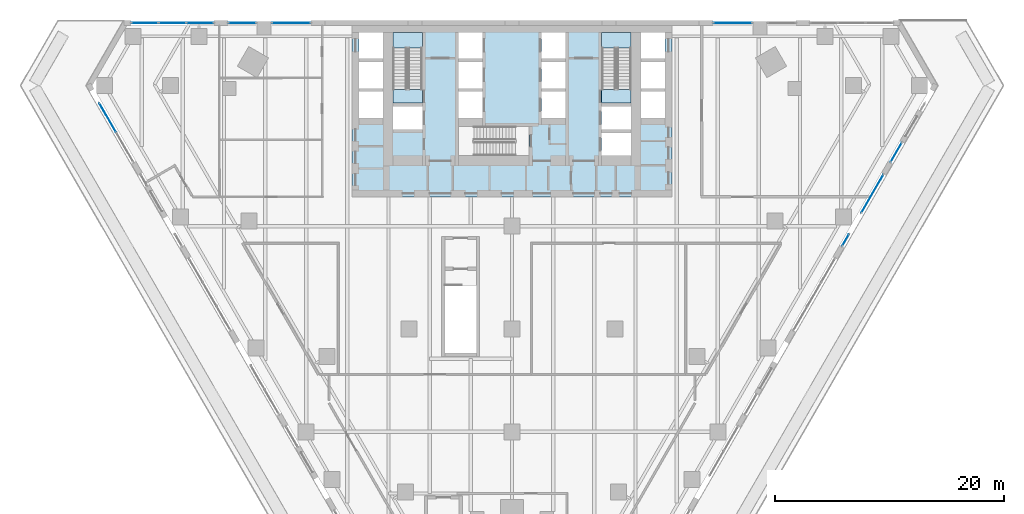
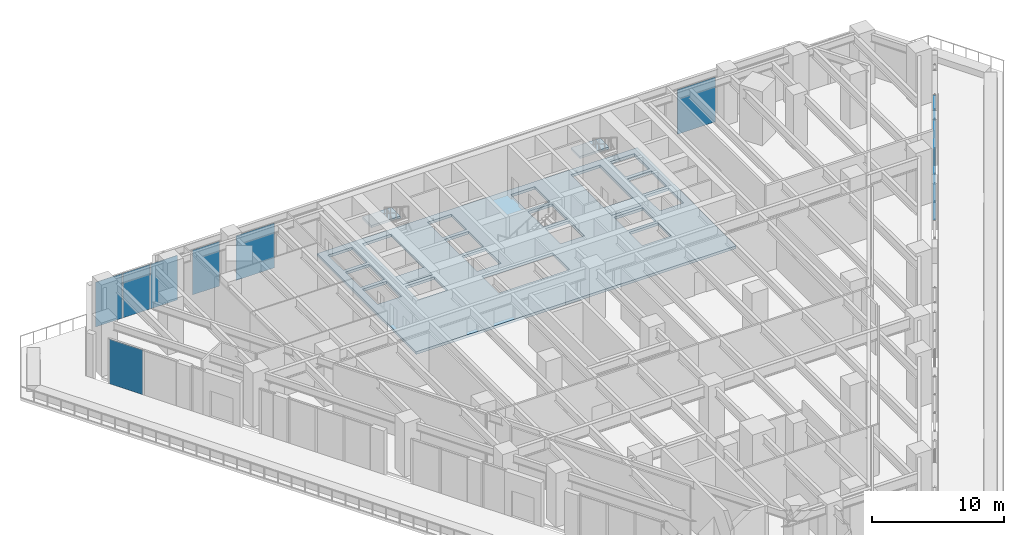
# One storey, part 19 of 31: 10 plates, 5 slabs, 10 elements without a shape of their own.
"""IFC4 building model written with IfcOpenShell, lengths in metres."""

from ifc_helpers import new_model, si_unit, direction, frame, origin, origin_2d, place, context, subcontext, project, spatial, polyline, rectangle, outline, extrude, material, layer, layer_set, type_object, element, aggregate, save


model = new_model("IFC4")

# Units and contexts
model_context = context("Model", 3, precision=1e-05, world=origin(), true_north=direction((0.0, 1.0)))
body_context = subcontext(model_context, "Body", "Model", "MODEL_VIEW")
ifc_project = project(units=[si_unit("LENGTHUNIT", "METRE"), si_unit("AREAUNIT", "SQUARE_METRE"), si_unit("VOLUMEUNIT", "CUBIC_METRE"), si_unit("PLANEANGLEUNIT", "RADIAN"), si_unit("MASSUNIT", "GRAM", prefix="KILO")], contexts=[model_context])

# Site, building, storey
site_placement = place(None, origin())
site = spatial("IfcSite", under=ifc_project, at=site_placement, CompositionType="ELEMENT")
building_placement = place(site_placement, origin())
building = spatial("IfcBuilding", under=site, at=building_placement, Name="Aloe Facet Convention Tower", CompositionType="ELEMENT")
storey_placement = place(building_placement, frame((0.0, 0.0, 25.0)))
storey = spatial("IfcBuildingStorey", under=building, at=storey_placement, Name="L04", CompositionType="ELEMENT", Elevation=25.0)

# Slabs
ifc_material_1 = material(Name="Concrete C80/95", Category="concrete")
ifc_layer_1 = layer(ifc_material_1, 0.25)
ifc_layer_set_1 = layer_set([ifc_layer_1], Name="CR-S-FLOOR250-C8095")
slab_type_1 = type_object("IfcSlabType", Name="CR-S-FLOOR250-C8095", PredefinedType="FLOOR", material=ifc_layer_set_1)
slab_1_placement = place(storey_placement, frame((0.0, 0.0, -0.25)))
element("IfcSlab", 1, at=slab_1_placement, inside=storey, type_object=slab_type_1, Name="Core floor L04", PredefinedType="FLOOR", context=body_context, shape_type="SweptSolid", body=[
    extrude(outline(polyline([(69.300048828125, 134.550048828125), (71.85009765625, 134.550048828125), (72.75, 134.550048828125), (74.699951171875, 134.550048828125), (75.60009765625, 134.550048828125), (77.10009765625, 134.550048828125), (78.0, 134.550048828125), (82.0, 134.550048828125), (82.89990234375, 134.550048828125), (84.39990234375, 134.550048828125), (85.300048828125, 134.550048828125), (87.25, 134.550048828125), (88.14990234375, 134.550048828125), (90.699951171875, 134.550048828125), (91.0, 134.550048828125), (94.0, 134.550048828125), (94.0, 131.949951171875), (94.0, 131.050048828125), (94.0, 129.35009765625), (94.0, 128.449951171875), (94.0, 126.449951171875), (94.0, 125.85009765625), (94.0, 124.9736328125), (94.0, 123.923583984375), (94.0, 122.834228515625), (94.0, 121.7841796875), (94.0, 119.550048828125), (91.300048828125, 119.550048828125), (90.699951171875, 119.550048828125), (89.60009765625, 119.550048828125), (88.550048828125, 119.550048828125), (87.89990234375, 119.550048828125), (86.85009765625, 119.550048828125), (85.699951171875, 119.550048828125), (84.64990234375, 119.550048828125), (83.699951171875, 119.550048828125), (82.64990234375, 119.550048828125), (81.75, 119.550048828125), (80.699951171875, 119.550048828125), (78.550048828125, 119.550048828125), (77.5, 119.550048828125), (75.35009765625, 119.550048828125), (74.300048828125, 119.550048828125), (73.14990234375, 119.550048828125), (72.10009765625, 119.550048828125), (69.300048828125, 119.550048828125), (66.0, 119.550048828125), (66.0, 121.5), (66.0, 122.550048828125), (66.0, 123.449951171875), (66.0, 124.5), (66.0, 125.85009765625), (66.0, 126.449951171875), (66.0, 128.449951171875), (66.0, 129.35009765625), (66.0, 131.050048828125), (66.0, 131.949951171875), (66.0, 134.550048828125), (69.0, 134.550048828125), (69.300048828125, 134.550048828125)]), holes=[polyline([(75.300048828125, 123.14990234375), (80.298828125, 123.14990234375), (81.5, 123.14990234375), (81.5, 125.699951171875), (80.298828125, 125.699951171875), (75.300048828125, 125.699951171875), (75.300048828125, 123.14990234375)]), polyline([(69.60009765625, 125.449951171875), (72.14990234375, 125.449951171875), (72.14990234375, 127.449951171875), (69.60009765625, 127.449951171875), (69.60009765625, 125.449951171875)]), polyline([(66.60009765625, 126.449951171875), (68.699951171875, 126.449951171875), (68.699951171875, 128.75), (66.60009765625, 128.75), (66.60009765625, 126.449951171875)]), polyline([(75.300048828125, 126.449951171875), (77.39990234375, 126.449951171875), (77.39990234375, 128.75), (75.300048828125, 128.75), (75.300048828125, 126.449951171875)]), polyline([(66.60009765625, 129.050048828125), (68.699951171875, 129.050048828125), (68.699951171875, 131.35009765625), (66.60009765625, 131.35009765625), (66.60009765625, 129.050048828125)]), polyline([(75.300048828125, 129.050048828125), (77.39990234375, 129.050048828125), (77.39990234375, 131.35009765625), (75.300048828125, 131.35009765625), (75.300048828125, 129.050048828125)]), polyline([(69.60009765625, 133.949951171875), (69.60009765625, 128.951171875), (69.60009765625, 127.75), (72.14990234375, 127.75), (72.14990234375, 128.951171875), (72.14990234375, 133.949951171875), (69.60009765625, 133.949951171875)]), polyline([(66.60009765625, 133.949951171875), (66.60009765625, 131.64990234375), (68.699951171875, 131.64990234375), (68.699951171875, 133.949951171875), (66.60009765625, 133.949951171875)]), polyline([(75.300048828125, 133.949951171875), (75.300048828125, 131.64990234375), (77.39990234375, 131.64990234375), (77.39990234375, 133.949951171875), (75.300048828125, 133.949951171875)]), polyline([(87.85009765625, 123.14990234375), (90.39990234375, 123.14990234375), (90.39990234375, 125.14990234375), (87.85009765625, 125.14990234375), (87.85009765625, 123.14990234375)]), polyline([(87.85009765625, 125.449951171875), (90.39990234375, 125.449951171875), (90.39990234375, 127.449951171875), (87.85009765625, 127.449951171875), (87.85009765625, 125.449951171875)]), polyline([(82.60009765625, 126.449951171875), (84.699951171875, 126.449951171875), (84.699951171875, 128.75), (82.60009765625, 128.75), (82.60009765625, 126.449951171875)]), polyline([(91.300048828125, 126.449951171875), (93.39990234375, 126.449951171875), (93.39990234375, 128.75), (91.300048828125, 128.75), (91.300048828125, 126.449951171875)]), polyline([(82.60009765625, 129.050048828125), (84.699951171875, 129.050048828125), (84.699951171875, 131.35009765625), (82.60009765625, 131.35009765625), (82.60009765625, 129.050048828125)]), polyline([(91.300048828125, 129.050048828125), (93.39990234375, 129.050048828125), (93.39990234375, 131.35009765625), (91.300048828125, 131.35009765625), (91.300048828125, 129.050048828125)]), polyline([(87.85009765625, 133.949951171875), (87.85009765625, 128.951171875), (87.85009765625, 127.75), (90.39990234375, 127.75), (90.39990234375, 128.951171875), (90.39990234375, 133.949951171875), (87.85009765625, 133.949951171875)]), polyline([(82.60009765625, 133.949951171875), (82.60009765625, 131.64990234375), (84.699951171875, 131.64990234375), (84.699951171875, 133.949951171875), (82.60009765625, 133.949951171875)]), polyline([(91.300048828125, 133.949951171875), (91.300048828125, 131.64990234375), (93.39990234375, 131.64990234375), (93.39990234375, 133.949951171875), (91.300048828125, 133.949951171875)])]), origin(), (0.0, 0.0, 1.0), 0.25),
])
ifc_material_2 = material(Name="Concrete C80/95", Category="concrete")
ifc_layer_2 = layer(ifc_material_2, 0.300048828125)
ifc_layer_set_2 = layer_set([ifc_layer_2], Name="CR-S-FLOOR300-C8095")
slab_type_2 = type_object("IfcSlabType", Name="CR-S-FLOOR300-C8095", PredefinedType="FLOOR", material=ifc_layer_set_2)
slab_2_placement = place(storey_placement, frame((0.0, 0.0, -0.300048828125)))
element("IfcSlab", 2, at=slab_2_placement, inside=storey, type_object=slab_type_2, Name="Stair landing floor L04", PredefinedType="FLOOR", context=body_context, shape_type="SweptSolid", body=[
    extrude(outline(polyline([(72.14990234375, 127.75), (72.14990234375, 128.951171875), (69.60009765625, 128.951171875), (69.60009765625, 127.75), (72.14990234375, 127.75)])), origin(), (0.0, 0.0, 1.0), 0.300048828125),
])
slab_3_placement = place(storey_placement, frame((0.0, 0.0, -0.300048828125)))
element("IfcSlab", 3, at=slab_3_placement, inside=storey, type_object=slab_type_2, Name="Stair landing floor L04", PredefinedType="FLOOR", context=body_context, shape_type="SweptSolid", body=[
    extrude(outline(polyline([(90.39990234375, 127.75), (90.39990234375, 128.951171875), (87.85009765625, 128.951171875), (87.85009765625, 127.75), (90.39990234375, 127.75)])), origin(), (0.0, 0.0, 1.0), 0.300048828125),
])

# Stair, slab
ifc_material_3 = material(Name="Concrete C50/60", Category="concrete")
stair_type = type_object("IfcStairType", Name="CR-ST-28R", PredefinedType="HALF_TURN_STAIR", material=ifc_material_3)
stair_1_placement = place(storey_placement, origin())
stair_1 = element("IfcStair", 4, at=stair_1_placement, inside=storey, type_object=stair_type, Name="L04 Protected exit stair ST1", PredefinedType="HALF_TURN_STAIR")
ifc_material_4 = material(Name="Concrete C50/60", Category="concrete")
ifc_layer_3 = layer(ifc_material_4, 0.199951171875)
ifc_layer_set_3 = layer_set([ifc_layer_3], Name="CR-SL-LANDING")
slab_type_3 = type_object("IfcSlabType", Name="CR-SL-LANDING", PredefinedType="LANDING", material=ifc_layer_set_3)
slab_4_placement = place(storey_placement, frame((0.0, 0.0, 2.300048828125)))
slab_4 = element("IfcSlab", 5, at=slab_4_placement, type_object=slab_type_3, Name="ST1 landing 1", PredefinedType="LANDING", context=body_context, shape_type="SweptSolid", body=[
    extrude(outline(polyline([(72.14990234375, 132.590087890625), (72.14990234375, 133.949951171875), (69.60009765625, 133.949951171875), (69.60009765625, 132.590087890625), (72.14990234375, 132.590087890625)])), origin(), (0.0, 0.0, 1.0), 0.199951171875),
])
aggregate(stair_1, [slab_4])

stair_2_placement = place(storey_placement, origin())
stair_2 = element("IfcStair", 6, at=stair_2_placement, inside=storey, type_object=stair_type, Name="L04 Protected exit stair ST2", PredefinedType="HALF_TURN_STAIR")
slab_5_placement = place(storey_placement, frame((0.0, 0.0, 2.300048828125)))
slab_5 = element("IfcSlab", 7, at=slab_5_placement, type_object=slab_type_3, Name="ST2 landing 1", PredefinedType="LANDING", context=body_context, shape_type="SweptSolid", body=[
    extrude(outline(polyline([(90.39990234375, 132.590087890625), (90.39990234375, 133.949951171875), (87.85009765625, 133.949951171875), (87.85009765625, 132.590087890625), (90.39990234375, 132.590087890625)])), origin(), (0.0, 0.0, 1.0), 0.199951171875),
])
aggregate(stair_2, [slab_5])

# Curtain wall, plate
ifc_material_5 = material(Name="Aluminium, anodised", Category="aluminium")
curtain_wall_type = type_object("IfcCurtainWallType", Name="EV-CW-HALL", PredefinedType="USERDEFINED", material=ifc_material_5)
curtain_wall_1_placement = place(storey_placement, origin())
curtain_wall_1 = element("IfcCurtainWall", 8, at=curtain_wall_1_placement, inside=storey, type_object=curtain_wall_type, Name="CW-L04-N04-2", ObjectType="UNITISED HALL GLAZING", PredefinedType="USERDEFINED")
ifc_material_6 = material(Name="Clear double glazing", Category="glass")
ifc_layer_4 = layer(ifc_material_6, 0.035888671875)
ifc_layer_set_4 = layer_set([ifc_layer_4], Name="EV-PANEL-HALL")
plate_type = type_object("IfcPlateType", Name="EV-PANEL-HALL", PredefinedType="CURTAIN_PANEL", material=ifc_layer_set_4)
plate_1_placement = place(storey_placement, frame((99.311767578125, 134.77490234375, -0.18505859375), z_axis=(0.0, 0.0, 1.0), x_axis=(-1.0, 0.0, 0.0)))
plate_1 = element("IfcPlate", 9, at=plate_1_placement, type_object=plate_type, Name="CW-L04-N04-2 panel 1.1", PredefinedType="CURTAIN_PANEL", context=body_context, shape_type="SweptSolid", body=[
    extrude(rectangle(XDim=3.346435546875, YDim=0.035888671875, at=origin_2d()), origin(), (0.0, 0.0, 1.0), 4.132568359375),
])
aggregate(curtain_wall_1, [plate_1])

curtain_wall_2_placement = place(storey_placement, origin())
curtain_wall_2 = element("IfcCurtainWall", 10, at=curtain_wall_2_placement, inside=storey, type_object=curtain_wall_type, Name="CW-L04-N14-1", ObjectType="UNITISED HALL GLAZING", PredefinedType="USERDEFINED")
plate_2_placement = place(storey_placement, frame((60.688232421875, 134.77490234375, -0.18505859375), z_axis=(0.0, 0.0, 1.0), x_axis=(-1.0, 0.0, 0.0)))
plate_2 = element("IfcPlate", 11, at=plate_2_placement, type_object=plate_type, Name="CW-L04-N14-1 panel 1.1", PredefinedType="CURTAIN_PANEL", context=body_context, shape_type="SweptSolid", body=[
    extrude(rectangle(XDim=3.346435546875, YDim=0.035888671875, at=origin_2d()), origin(), (0.0, 0.0, 1.0), 4.132568359375),
])
aggregate(curtain_wall_2, [plate_2])

curtain_wall_3_placement = place(storey_placement, origin())
curtain_wall_3 = element("IfcCurtainWall", 12, at=curtain_wall_3_placement, inside=storey, type_object=curtain_wall_type, Name="CW-L04-N14-2", ObjectType="UNITISED HALL GLAZING", PredefinedType="USERDEFINED")
plate_3_placement = place(storey_placement, frame((56.394775390625, 134.77490234375, -0.18505859375), z_axis=(0.0, 0.0, 1.0), x_axis=(-1.0, 0.0, 0.0)))
plate_3 = element("IfcPlate", 13, at=plate_3_placement, type_object=plate_type, Name="CW-L04-N14-2 panel 1.1", PredefinedType="CURTAIN_PANEL", context=body_context, shape_type="SweptSolid", body=[
    extrude(rectangle(XDim=2.38037109375, YDim=0.035888671875, at=origin_2d()), origin(), (0.0, 0.0, 1.0), 4.132568359375),
])
aggregate(curtain_wall_3, [plate_3])

# Curtain wall, plates
curtain_wall_4_placement = place(storey_placement, origin())
curtain_wall_4 = element("IfcCurtainWall", 14, at=curtain_wall_4_placement, inside=storey, type_object=curtain_wall_type, Name="CW-L04-N16", ObjectType="UNITISED HALL GLAZING", PredefinedType="USERDEFINED")
plate_4_placement = place(storey_placement, frame((52.708984375, 134.77490234375, -0.18505859375), z_axis=(0.0, 0.0, 1.0), x_axis=(-1.0, 0.0, 0.0)))
plate_4 = element("IfcPlate", 15, at=plate_4_placement, type_object=plate_type, Name="CW-L04-N16 panel 1.1", PredefinedType="CURTAIN_PANEL", context=body_context, shape_type="SweptSolid", body=[
    extrude(rectangle(XDim=2.331298828125, YDim=0.035888671875, at=origin_2d()), origin(), (0.0, 0.0, 1.0), 4.132568359375),
])
plate_5_placement = place(storey_placement, frame((50.29638671875, 134.77490234375, -0.18505859375), z_axis=(0.0, 0.0, 1.0), x_axis=(-1.0, 0.0, 0.0)))
plate_5 = element("IfcPlate", 16, at=plate_5_placement, type_object=plate_type, Name="CW-L04-N16 panel 2.1", PredefinedType="CURTAIN_PANEL", context=body_context, shape_type="SweptSolid", body=[
    extrude(rectangle(XDim=2.364013671875, YDim=0.035888671875, at=origin_2d()), origin(), (0.0, 0.0, 1.0), 4.132568359375),
])
plate_6_placement = place(storey_placement, frame((47.8837890625, 134.77490234375, -0.18505859375), z_axis=(0.0, 0.0, 1.0), x_axis=(-1.0, 0.0, 0.0)))
plate_6 = element("IfcPlate", 17, at=plate_6_placement, type_object=plate_type, Name="CW-L04-N16 panel 3.1", PredefinedType="CURTAIN_PANEL", context=body_context, shape_type="SweptSolid", body=[
    extrude(rectangle(XDim=2.331298828125, YDim=0.035888671875, at=origin_2d()), origin(), (0.0, 0.0, 1.0), 4.132568359375),
])
aggregate(curtain_wall_4, [plate_4, plate_5, plate_6])

# Curtain wall, plate
curtain_wall_5_placement = place(storey_placement, origin())
curtain_wall_5 = element("IfcCurtainWall", 18, at=curtain_wall_5_placement, inside=storey, type_object=curtain_wall_type, Name="CW-L04-W02", ObjectType="UNITISED HALL GLAZING", PredefinedType="USERDEFINED")
plate_7_placement = place(storey_placement, frame((44.62939453125, 126.484375, -0.18505859375), z_axis=(0.0, 0.0, 1.0), x_axis=(0.500000000045, -0.866025403758, 0.0)))
plate_7 = element("IfcPlate", 19, at=plate_7_placement, type_object=plate_type, Name="CW-L04-W02 panel 1.1", PredefinedType="CURTAIN_PANEL", context=body_context, shape_type="SweptSolid", body=[
    extrude(rectangle(XDim=2.92919921875, YDim=0.035888671875, at=origin_2d()), origin(), (0.0, 0.0, 1.0), 4.132568359375),
])
aggregate(curtain_wall_5, [plate_7])

curtain_wall_6_placement = place(storey_placement, origin())
curtain_wall_6 = element("IfcCurtainWall", 20, at=curtain_wall_6_placement, inside=storey, type_object=curtain_wall_type, Name="CW-L04-E14-1", ObjectType="UNITISED HALL GLAZING", PredefinedType="USERDEFINED")
plate_8_placement = place(storey_placement, frame((109.186767578125, 115.773681640625, -0.18505859375), z_axis=(0.0, 0.0, 1.0), x_axis=(0.500000000196, 0.866025403671, 0.0)))
plate_8 = element("IfcPlate", 21, at=plate_8_placement, type_object=plate_type, Name="CW-L04-E14-1 panel 1.1", PredefinedType="CURTAIN_PANEL", context=body_context, shape_type="SweptSolid", body=[
    extrude(rectangle(XDim=1.15576171875, YDim=0.035888671875, at=origin_2d()), origin(), (0.0, 0.0, 1.0), 4.132568359375),
])
aggregate(curtain_wall_6, [plate_8])

curtain_wall_7_placement = place(storey_placement, origin())
curtain_wall_7 = element("IfcCurtainWall", 22, at=curtain_wall_7_placement, inside=storey, type_object=curtain_wall_type, Name="CW-L04-E14-2", ObjectType="UNITISED HALL GLAZING", PredefinedType="USERDEFINED")
plate_9_placement = place(storey_placement, frame((111.520751953125, 119.816162109375, -0.18505859375), z_axis=(0.0, 0.0, 1.0), x_axis=(0.500000000076, 0.866025403741, 0.0)))
plate_9 = element("IfcPlate", 23, at=plate_9_placement, type_object=plate_type, Name="CW-L04-E14-2 panel 1.1", PredefinedType="CURTAIN_PANEL", context=body_context, shape_type="SweptSolid", body=[
    extrude(rectangle(XDim=3.822021484375, YDim=0.035888671875, at=origin_2d()), origin(), (0.0, 0.0, 1.0), 4.132568359375),
])
aggregate(curtain_wall_7, [plate_9])

curtain_wall_8_placement = place(storey_placement, origin())
curtain_wall_8 = element("IfcCurtainWall", 24, at=curtain_wall_8_placement, inside=storey, type_object=curtain_wall_type, Name="CW-L04-E16A", ObjectType="UNITISED HALL GLAZING", PredefinedType="USERDEFINED")
plate_10_placement = place(storey_placement, frame((113.61962890625, 123.451416015625, -0.18505859375), z_axis=(0.0, 0.0, 1.0), x_axis=(0.499999999879, 0.866025403854, 0.0)))
plate_10 = element("IfcPlate", 25, at=plate_10_placement, type_object=plate_type, Name="CW-L04-E16A panel 1.1", PredefinedType="CURTAIN_PANEL", context=body_context, shape_type="SweptSolid", body=[
    extrude(rectangle(XDim=1.913330078125, YDim=0.035888671875, at=origin_2d()), origin(), (0.0, 0.0, 1.0), 4.132568359375),
])
aggregate(curtain_wall_8, [plate_10])

save(model, "model.ifc")
